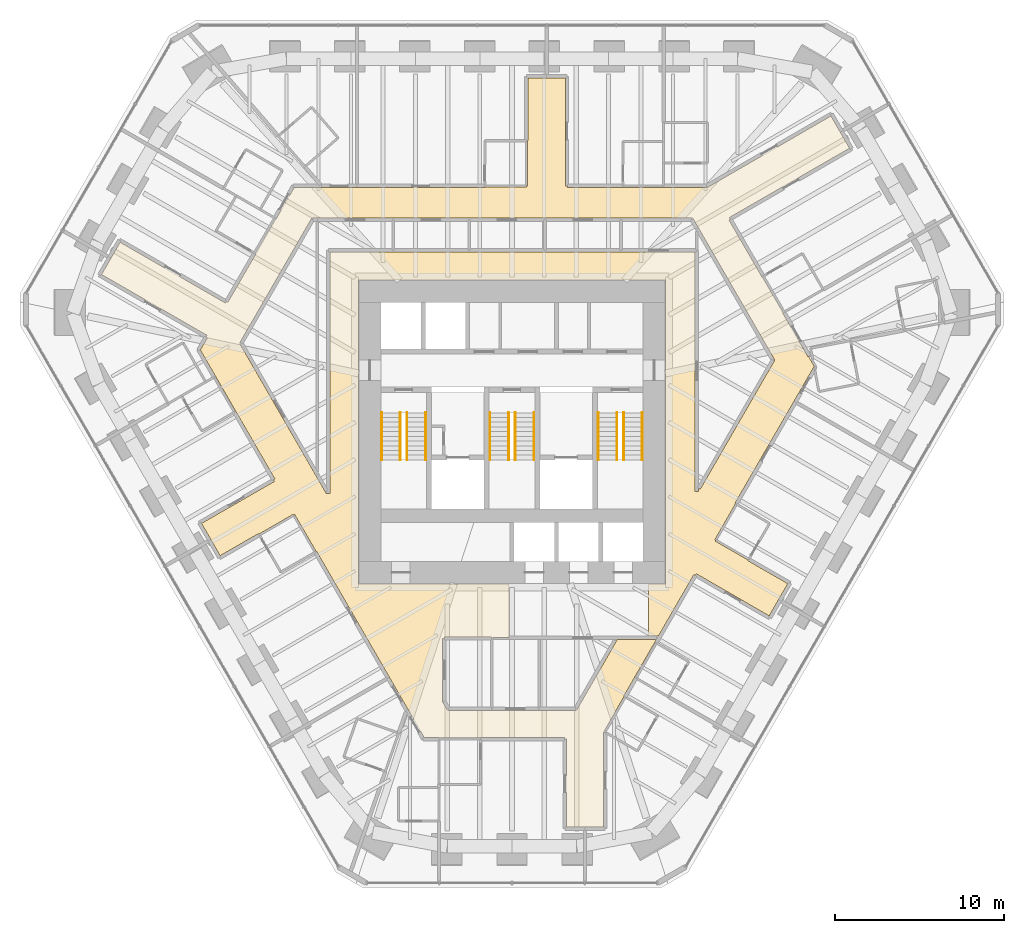
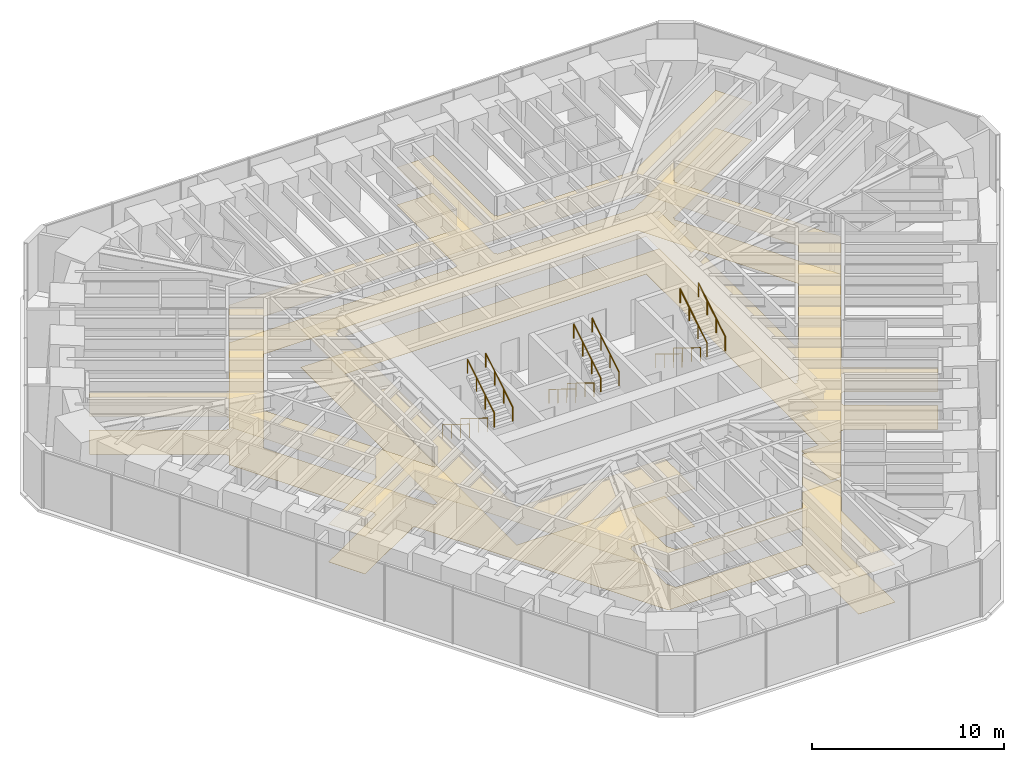
# One storey, part 17 of 17: 12 railings, 2 coverings.
"""IFC4 building model written with IfcOpenShell, lengths in metres."""

import ifcopenshell
import ifcopenshell.guid

model = None  # the IFC model being written
_history = None  # IfcOwnerHistory: only IFC2X3 demands one
_inside = {}  # id of a spatial element -> (the spatial element, [elements in it])
_under = {}  # id of a project, library or spatial element -> (it, [spatial elements below it])
_declared = {}  # id of a project -> (the project, [libraries it declares])
_typed = {}  # id of a type object -> (the type object, [elements of that type])
_made_of = {}  # id of a material, layer set ... -> (it, [elements and type objects made of it])


def new_model(schema):
    """Start an empty IFC model of exactly this schema.

    Asked for "IFC4X3", IfcOpenShell would pick the latest addendum, in which some entities
    have other attributes; the version numbers below select the first issue.
    IFC2X3 requires an IfcOwnerHistory on every rooted entity: one is made here for all.
    """
    global model, _history
    if schema == "IFC4X3":
        model = ifcopenshell.file(schema_version=(4, 3, 0, 0))
    else:
        model = ifcopenshell.file(schema=schema)
    _inside.clear()
    _under.clear()
    _declared.clear()
    _typed.clear()
    _made_of.clear()
    _history = None
    if model.schema == "IFC2X3":
        org = make("IfcOrganization", Name="unknown")
        user = make(
            "IfcPersonAndOrganization",
            ThePerson=make("IfcPerson", FamilyName="unknown"),
            TheOrganization=org,
        )
        app = make(
            "IfcApplication",
            ApplicationDeveloper=org,
            Version="unknown",
            ApplicationFullName="unknown",
            ApplicationIdentifier="unknown",
        )
        _history = make(
            "IfcOwnerHistory",
            OwningUser=user,
            OwningApplication=app,
            ChangeAction="ADDED",
            CreationDate=0,
        )
    return model


def make(cls, **values):
    """One entity of the class cls with the attributes given. An attribute that is None is left unset."""
    return model.create_entity(
        cls, **{name: value for name, value in values.items() if value is not None}
    )


def rooted(cls, **values):
    """An entity with a GlobalId (a new one), such as an element, a storey or a relation."""
    return make(cls, GlobalId=ifcopenshell.guid.new(), OwnerHistory=_history, **values)


def si_unit(unit_type, name, prefix=None):
    """IfcSIUnit, for example si_unit("LENGTHUNIT", "METRE", prefix="MILLI")."""
    return make("IfcSIUnit", UnitType=unit_type, Prefix=prefix, Name=name)


def assignment(units):
    """IfcUnitAssignment: the units of a project."""
    return None if units is None else make("IfcUnitAssignment", Units=units)


def point(xyz):
    """IfcCartesianPoint."""
    return None if xyz is None else make("IfcCartesianPoint", Coordinates=xyz)


def direction(xyz):
    """IfcDirection."""
    return None if xyz is None else make("IfcDirection", DirectionRatios=xyz)


def frame(location, z_axis=None, x_axis=None):
    """IfcAxis2Placement3D, a coordinate frame: its origin and axes. An axis left out is left unset."""
    return make(
        "IfcAxis2Placement3D",
        Location=point(location),
        Axis=direction(z_axis),
        RefDirection=direction(x_axis),
    )


def frame_2d(location, x_axis=None):
    """IfcAxis2Placement2D, a coordinate frame in the plane: its origin and x axis."""
    return make(
        "IfcAxis2Placement2D", Location=point(location), RefDirection=direction(x_axis)
    )


def origin():
    """The frame at (0, 0, 0) with its axes left unset."""
    return frame((0.0, 0.0, 0.0))


def origin_2d():
    """The frame at (0, 0) in the plane with its x axis left unset."""
    return frame_2d((0.0, 0.0))


def place(relative_to, where):
    """IfcLocalPlacement: puts the frame where relative to a parent placement (None: the world)."""
    return make(
        "IfcLocalPlacement", PlacementRelTo=relative_to, RelativePlacement=where
    )


def context(
    kind, dimensions, precision=None, world=None, true_north=None, identifier=None
):
    """IfcGeometricRepresentationContext, for example the 3D "Model" context."""
    return make(
        "IfcGeometricRepresentationContext",
        ContextIdentifier=identifier,
        ContextType=kind,
        CoordinateSpaceDimension=dimensions,
        Precision=precision,
        WorldCoordinateSystem=world,
        TrueNorth=true_north,
    )


def subcontext(parent, identifier, kind, view, scale=None):
    """IfcGeometricRepresentationSubContext, for example "Body" below "Model"."""
    return make(
        "IfcGeometricRepresentationSubContext",
        ContextIdentifier=identifier,
        ContextType=kind,
        ParentContext=parent,
        TargetScale=scale,
        TargetView=view,
    )


def project(units=None, contexts=None):
    """IfcProject with its units and contexts."""
    return rooted(
        "IfcProject",
        Name="project",
        RepresentationContexts=contexts,
        UnitsInContext=assignment(units),
    )


def spatial(cls, under=None, at=None, **own):
    """A site, building, storey or space (cls), placed at a placement, below another one or the project."""
    s = rooted(cls, ObjectPlacement=at, **own)
    if under is not None:
        _under.setdefault(under.id(), (under, []))[1].append(s)
    return s


def polyline(points):
    """IfcPolyline through the points."""
    return make("IfcPolyline", Points=[point(p) for p in points])


def profile(cls, at=None, kind="AREA", **sizes):
    """A parametric profile (cls). Its sizes go by their IFC names, for example OverallWidth=200.0."""
    return make(cls, ProfileType=kind, Position=at, **sizes)


def circle(**sizes):
    """IfcCircleProfileDef."""
    return profile("IfcCircleProfileDef", **sizes)


def outline(outer, holes=None, kind="AREA"):
    """IfcArbitraryClosedProfileDef: a profile drawn as a closed curve; with holes, ...WithVoids."""
    if holes is None:
        return make("IfcArbitraryClosedProfileDef", ProfileType=kind, OuterCurve=outer)
    return make(
        "IfcArbitraryProfileDefWithVoids",
        ProfileType=kind,
        OuterCurve=outer,
        InnerCurves=holes,
    )


def extrude(swept, where, along, depth):
    """IfcExtrudedAreaSolid: the profile swept, set in the frame where, extruded along a direction by depth."""
    return make(
        "IfcExtrudedAreaSolid",
        SweptArea=swept,
        Position=where,
        ExtrudedDirection=direction(along),
        Depth=depth,
    )


def shape(context_of_items, identifier, shape_type, items):
    """IfcShapeRepresentation: the items that make up one representation, for example the "Body"."""
    return make(
        "IfcShapeRepresentation",
        ContextOfItems=context_of_items,
        RepresentationIdentifier=identifier,
        RepresentationType=shape_type,
        Items=items,
    )


def material(Name=None, Category=None):
    """IfcMaterial."""
    return make("IfcMaterial", Name=Name, Category=Category)


def layer(
    of_material, thickness, ventilated=None, Name=None, Category=None, Priority=None
):
    """IfcMaterialLayer: one layer of a wall or slab, of a material (None: an air gap)."""
    return make(
        "IfcMaterialLayer",
        Material=of_material,
        LayerThickness=thickness,
        IsVentilated=ventilated,
        Name=Name,
        Category=Category,
        Priority=Priority,
    )


def layer_set(layers, Name=None):
    """IfcMaterialLayerSet."""
    return make("IfcMaterialLayerSet", MaterialLayers=layers, LayerSetName=Name)


def made_of(thing, what):
    """Note that an element or type object is made of a material, layer set ...; save() writes the relation."""
    if what is not None:
        _made_of.setdefault(what.id(), (what, []))[1].append(thing)
    return thing


def type_object(cls, material=None, **own):
    """A type object (cls), such as IfcWallType, which elements share."""
    return made_of(rooted(cls, **own), material)


def element(
    cls,
    number,
    at=None,
    inside=None,
    cuts=None,
    type_object=None,
    material=None,
    context=None,
    identifier="Body",
    shape_type=None,
    held_by="IfcProductDefinitionShape",
    body=None,
    shapes=None,
    **own,
):
    """One element of the class cls, such as IfcWall. Its Tag is "e" and its number.

    at: its placement. inside: the storey or other place that contains it. cuts: it is an
    opening in that element (IfcRelVoidsElement). A single representation is given by context,
    identifier, shape_type and body (its items); several are given by shapes. held_by: the class
    of the entity that holds the representations. save() writes the other relations.
    """
    e = rooted(cls, Tag="e%d" % number, ObjectPlacement=at, **own)
    if body is not None:
        shapes = [shape(context, identifier, shape_type, body)]
    if shapes is not None:
        e.Representation = make(held_by, Representations=shapes)
    if inside is not None:
        _inside.setdefault(inside.id(), (inside, []))[1].append(e)
    if cuts is not None:
        rooted(
            "IfcRelVoidsElement", RelatingBuildingElement=cuts, RelatedOpeningElement=e
        )
    if type_object is not None:
        _typed.setdefault(type_object.id(), (type_object, []))[1].append(e)
    return made_of(e, material)


def aggregate(whole, parts):
    """IfcRelAggregates: a whole, such as a stair, and the parts it consists of."""
    return rooted("IfcRelAggregates", RelatingObject=whole, RelatedObjects=parts)


def save(model, path):
    """Write the relations noted so far, then the file.

    IfcRelAggregates (storeys below a building ...), IfcRelContainedInSpatialStructure (elements
    in a storey), IfcRelDefinesByType, IfcRelAssociatesMaterial and IfcRelDeclares: one each for
    every whole, place, type object, material and project.
    """
    for whole, parts in _under.values():
        aggregate(whole, parts)
    for where, things in _inside.values():
        rooted(
            "IfcRelContainedInSpatialStructure",
            RelatedElements=things,
            RelatingStructure=where,
        )
    for kind, things in _typed.values():
        rooted("IfcRelDefinesByType", RelatedObjects=things, RelatingType=kind)
    for what, things in _made_of.values():
        rooted("IfcRelAssociatesMaterial", RelatedObjects=things, RelatingMaterial=what)
    for by, libraries in _declared.values():
        rooted("IfcRelDeclares", RelatingContext=by, RelatedDefinitions=libraries)
    model.write(path)


model = new_model("IFC4")

# Units and contexts
model_context = context("Model", 3, precision=1e-05, world=origin(), true_north=direction((0.0, 1.0)))
body_context = subcontext(model_context, "Body", "Model", "MODEL_VIEW")
ifc_project = project(units=[si_unit("LENGTHUNIT", "METRE"), si_unit("AREAUNIT", "SQUARE_METRE"), si_unit("VOLUMEUNIT", "CUBIC_METRE"), si_unit("PLANEANGLEUNIT", "RADIAN"), si_unit("MASSUNIT", "GRAM", prefix="KILO")], contexts=[model_context])

# Site, building, storey
site_placement = place(None, origin())
site = spatial("IfcSite", under=ifc_project, at=site_placement, CompositionType="ELEMENT")
building_placement = place(site_placement, origin())
building = spatial("IfcBuilding", under=site, at=building_placement, Name="Sandreach Pilgrim Tower", CompositionType="ELEMENT")
storey_placement = place(building_placement, frame((0.0, 0.0, 161.39990234375)))
storey = spatial("IfcBuildingStorey", under=building, at=storey_placement, Name="L40", CompositionType="ELEMENT", Elevation=161.39990234375)

# Coverings
ifc_material_1 = material(Name="Nylon carpet tile on the slab", Category="textile")
ifc_layer_1 = layer(ifc_material_1, 0.008056640625)
ifc_layer_set_1 = layer_set([ifc_layer_1], Name="Carpet tile")
covering_type_1 = type_object("IfcCoveringType", Name="Carpet tile", PredefinedType="FLOORING", material=ifc_layer_set_1)
covering_1_placement = place(storey_placement, origin())
element("IfcCovering", 1, at=covering_1_placement, inside=storey, type_object=covering_type_1, Name="Floor finish 40C Corridor 40", PredefinedType="FLOORING", context=body_context, shape_type="SweptSolid", body=[
    extrude(outline(polyline([(-18.030029296875, 4.166748046875), (-24.25341796875, 7.756591796875), (-23.1533203125, 9.663330078125), (-16.929931640625, 6.073486328125), (-16.869873046875, 6.165771484375), (-16.788330078125, 6.11865234375), (-12.872314453125, 12.889892578125), (-1.60009765625, 12.889892578125), (-1.60009765625, 12.9228515625), (0.85009765625, 12.929931640625), (0.850830078125, 12.989990234375), (0.909912109375, 12.989990234375), (0.909912109375, 15.659912109375), (0.949951171875, 15.659912109375), (0.949951171875, 19.360107421875), (3.14990234375, 19.360107421875), (3.14990234375, 12.989990234375), (3.264892578125, 12.989990234375), (3.264892578125, 12.889892578125), (11.516845703125, 12.889892578125), (18.843505859375, 17.123291015625), (19.943359375, 15.216552734375), (12.85009765625, 11.126708984375), (12.907470703125, 11.027099609375), (12.82080078125, 10.97705078125), (16.013916015625, 5.501708984375), (15.991455078125, 5.48876953125), (17.486328125, 2.90478515625), (17.517822265625, 2.9228515625), (17.8603515625, 2.33544921875), (13.17333984375, -5.760009765625), (13.208740234375, -5.7802734375), (11.988037109375, -7.909912109375), (12.03955078125, -7.94091796875), (12.010009765625, -7.991943359375), (13.95849609375, -9.11474609375), (13.9384765625, -9.1494140625), (16.29345703125, -10.506591796875), (15.193359375, -12.413330078125), (10.89013671875, -9.92333984375), (10.83251953125, -10.02294921875), (10.745849609375, -9.972900390625), (8.6513671875, -13.60009765625), (8.050048828125, -13.60009765625), (8.050048828125, -10.52001953125), (9.070068359375, -10.52001953125), (9.070068359375, 7.419921875), (-9.070068359375, 7.419921875), (-9.070068359375, -10.52001953125), (-0.175048828125, -10.52001953125), (-0.175048828125, -13.68994140625), (-1.199951171875, -13.67919921875), (-1.199951171875, -13.64990234375), (-3.989990234375, -13.64990234375), (-3.989990234375, -13.75), (-4.10009765625, -13.75), (-4.10009765625, -17.487060546875), (-3.8076171875, -17.989990234375), (3.8076171875, -17.989990234375), (6.2265625, -13.800048828125), (8.535888671875, -13.800048828125), (6.603271484375, -17.150146484375), (6.622314453125, -17.160888671875), (5.409912109375, -19.2900390625), (5.409912109375, -24.8798828125), (3.2099609375, -24.8798828125), (3.2099609375, -19.68994140625), (3.10009765625, -19.68994140625), (3.10009765625, -19.590087890625), (-5.192138671875, -19.590087890625), (-11.54345703125, -8.599853515625), (-11.56884765625, -8.61474609375), (-12.837890625, -6.43017578125), (-12.890625, -6.458984375), (-12.919921875, -6.407958984375), (-14.9599609375, -7.587890625), (-14.979736328125, -7.55322265625), (-17.2431640625, -8.853515625), (-18.343505859375, -6.94677734375), (-14.0400390625, -4.466552734375), (-14.097412109375, -4.366943359375), (-14.010986328125, -4.31689453125), (-18.41455078125, 3.300048828125), (-18.0009765625, 4.01708984375), (-18.083251953125, 4.064453125), (-18.030029296875, 4.166748046875)]), holes=[polyline([(-16.095458984375, 3.699951171875), (-10.965576171875, -5.18994140625), (-10.85009765625, -5.19482421875), (-10.75, -5.18994140625), (-10.75, 9.10009765625), (10.820068359375, 9.10009765625), (10.820068359375, -5.070068359375), (11.02001953125, -5.070068359375), (11.02001953125, -4.873779296875), (11.11669921875, -4.929443359375), (15.525390625, 2.699951171875), (10.677734375, 11.090087890625), (-11.82763671875, 11.090087890625), (-16.095458984375, 3.699951171875)])]), origin(), (0.0, 0.0, 1.0), 0.008056640625),
])
ifc_material_2 = material(Name="Gypsum board suspended ceiling on a steel grid", Category="steel")
ifc_layer_2 = layer(ifc_material_2, 0.012939453125)
ifc_layer_set_2 = layer_set([ifc_layer_2], Name="Gypsum board suspended ceiling")
covering_type_2 = type_object("IfcCoveringType", Name="Gypsum board suspended ceiling", PredefinedType="CEILING", material=ifc_layer_set_2)
covering_2_placement = place(storey_placement, frame((0.0, 0.0, 2.400146484375)))
element("IfcCovering", 2, at=covering_2_placement, inside=storey, type_object=covering_type_2, Name="Ceiling 40C Corridor 40", PredefinedType="CEILING", context=body_context, shape_type="SweptSolid", body=[
    extrude(outline(polyline([(-18.030029296875, 4.166748046875), (-24.25341796875, 7.756591796875), (-23.1533203125, 9.663330078125), (-16.929931640625, 6.073486328125), (-16.869873046875, 6.165771484375), (-16.788330078125, 6.11865234375), (-12.872314453125, 12.889892578125), (-1.60009765625, 12.889892578125), (-1.60009765625, 12.9228515625), (0.85009765625, 12.929931640625), (0.850830078125, 12.989990234375), (0.909912109375, 12.989990234375), (0.909912109375, 15.659912109375), (0.949951171875, 15.659912109375), (0.949951171875, 19.360107421875), (3.14990234375, 19.360107421875), (3.14990234375, 12.989990234375), (3.264892578125, 12.989990234375), (3.264892578125, 12.889892578125), (11.516845703125, 12.889892578125), (18.843505859375, 17.123291015625), (19.943359375, 15.216552734375), (12.85009765625, 11.126708984375), (12.907470703125, 11.027099609375), (12.82080078125, 10.97705078125), (16.013916015625, 5.501708984375), (15.991455078125, 5.48876953125), (17.486328125, 2.90478515625), (17.517822265625, 2.9228515625), (17.8603515625, 2.33544921875), (13.17333984375, -5.760009765625), (13.208740234375, -5.7802734375), (11.988037109375, -7.909912109375), (12.03955078125, -7.94091796875), (12.010009765625, -7.991943359375), (13.95849609375, -9.11474609375), (13.9384765625, -9.1494140625), (16.29345703125, -10.506591796875), (15.193359375, -12.413330078125), (10.89013671875, -9.92333984375), (10.83251953125, -10.02294921875), (10.745849609375, -9.972900390625), (8.6513671875, -13.60009765625), (8.050048828125, -13.60009765625), (8.050048828125, -10.52001953125), (9.070068359375, -10.52001953125), (9.070068359375, 7.419921875), (-9.070068359375, 7.419921875), (-9.070068359375, -10.52001953125), (-0.175048828125, -10.52001953125), (-0.175048828125, -13.68994140625), (-1.199951171875, -13.67919921875), (-1.199951171875, -13.64990234375), (-3.989990234375, -13.64990234375), (-3.989990234375, -13.75), (-4.10009765625, -13.75), (-4.10009765625, -17.487060546875), (-3.8076171875, -17.989990234375), (3.8076171875, -17.989990234375), (6.2265625, -13.800048828125), (8.535888671875, -13.800048828125), (6.603271484375, -17.150146484375), (6.622314453125, -17.160888671875), (5.409912109375, -19.2900390625), (5.409912109375, -24.8798828125), (3.2099609375, -24.8798828125), (3.2099609375, -19.68994140625), (3.10009765625, -19.68994140625), (3.10009765625, -19.590087890625), (-5.192138671875, -19.590087890625), (-11.54345703125, -8.599853515625), (-11.56884765625, -8.61474609375), (-12.837890625, -6.43017578125), (-12.890625, -6.458984375), (-12.919921875, -6.407958984375), (-14.9599609375, -7.587890625), (-14.979736328125, -7.55322265625), (-17.2431640625, -8.853515625), (-18.343505859375, -6.94677734375), (-14.0400390625, -4.466552734375), (-14.097412109375, -4.366943359375), (-14.010986328125, -4.31689453125), (-18.41455078125, 3.300048828125), (-18.0009765625, 4.01708984375), (-18.083251953125, 4.064453125), (-18.030029296875, 4.166748046875)]), holes=[polyline([(-16.095458984375, 3.699951171875), (-10.965576171875, -5.18994140625), (-10.85009765625, -5.19482421875), (-10.75, -5.18994140625), (-10.75, 9.10009765625), (10.820068359375, 9.10009765625), (10.820068359375, -5.070068359375), (11.02001953125, -5.070068359375), (11.02001953125, -4.873779296875), (11.11669921875, -4.929443359375), (15.525390625, 2.699951171875), (10.677734375, 11.090087890625), (-11.82763671875, 11.090087890625), (-16.095458984375, 3.699951171875)])]), origin(), (0.0, 0.0, 1.0), 0.012939453125),
])

# Railings
ifc_material_3 = material(Name="Stainless steel tube", Category="steel")
railing_type = type_object("IfcRailingType", Name="Stair handrail", PredefinedType="HANDRAIL", material=ifc_material_3)
for number, where, name in (
    (3, (-6.60009765625, -0.39990234375, 0.1728515625), "Handrail ST1 L40 flight 1"),
    (4, (-7.699951171875, -0.39990234375, 0.1728515625), "Handrail ST1 L40 flight 1"),
):
    element("IfcRailing", number, at=place(storey_placement, frame(where)), inside=storey, type_object=railing_type, Name=name, PredefinedType="HANDRAIL", context=body_context, shape_type="SweptSolid", body=[
        extrude(circle(Radius=0.02392578125, at=origin_2d()), frame((0.0, 0.0, 0.8759765625), z_axis=(0.0, -0.851089632645, 0.525020415988), x_axis=(1.0, 0.0, 0.0)), (0.0, 0.0, 1.0), 3.2900390625),
        extrude(circle(Radius=0.02099609375, at=origin_2d()), origin(), (0.0, 0.0, 1.0), 0.851806640625),
        extrude(circle(Radius=0.02099609375, at=origin_2d()), frame((0.0, -0.933349609375, 0.57568359375)), (0.0, 0.0, 1.0), 0.851806640625),
        extrude(circle(Radius=0.02099609375, at=origin_2d()), frame((0.0, -1.86669921875, 1.151611328125)), (0.0, 0.0, 1.0), 0.851806640625),
        extrude(circle(Radius=0.02099609375, at=origin_2d()), frame((0.0, -2.800048828125, 1.727294921875)), (0.0, 0.0, 1.0), 0.851806640625),
    ])
for number, where, name in (
    (5, (-6.199951171875, -3.199951171875, 2.07275390625), "Handrail ST1 L40 flight 2"),
    (6, (-5.10009765625, -3.199951171875, 2.07275390625), "Handrail ST1 L40 flight 2"),
):
    element("IfcRailing", number, at=place(storey_placement, frame(where)), inside=storey, type_object=railing_type, Name=name, PredefinedType="HANDRAIL", context=body_context, shape_type="SweptSolid", body=[
        extrude(circle(Radius=0.02392578125, at=origin_2d()), frame((0.0, 0.0, 0.8759765625), z_axis=(0.0, 0.851089632645, 0.525020415988), x_axis=(-1.0, 0.0, 0.0)), (0.0, 0.0, 1.0), 3.2900390625),
        extrude(circle(Radius=0.02099609375, at=origin_2d()), origin(), (0.0, 0.0, 1.0), 0.851806640625),
        extrude(circle(Radius=0.02099609375, at=origin_2d()), frame((0.0, 0.933349609375, 0.57568359375)), (0.0, 0.0, 1.0), 0.851806640625),
        extrude(circle(Radius=0.02099609375, at=origin_2d()), frame((0.0, 1.86669921875, 1.151611328125)), (0.0, 0.0, 1.0), 0.851806640625),
        extrude(circle(Radius=0.02099609375, at=origin_2d()), frame((0.0, 2.800048828125, 1.727294921875)), (0.0, 0.0, 1.0), 0.851806640625),
    ])
for number, where, name in (
    (7, (-0.199951171875, -0.39990234375, 0.1728515625), "Handrail ST3 L40 flight 1"),
    (8, (-1.300048828125, -0.39990234375, 0.1728515625), "Handrail ST3 L40 flight 1"),
):
    element("IfcRailing", number, at=place(storey_placement, frame(where)), inside=storey, type_object=railing_type, Name=name, PredefinedType="HANDRAIL", context=body_context, shape_type="SweptSolid", body=[
        extrude(circle(Radius=0.02392578125, at=origin_2d()), frame((0.0, 0.0, 0.8759765625), z_axis=(0.0, -0.851089632645, 0.525020415988), x_axis=(1.0, 0.0, 0.0)), (0.0, 0.0, 1.0), 3.2900390625),
        extrude(circle(Radius=0.02099609375, at=origin_2d()), origin(), (0.0, 0.0, 1.0), 0.851806640625),
        extrude(circle(Radius=0.02099609375, at=origin_2d()), frame((0.0, -0.933349609375, 0.57568359375)), (0.0, 0.0, 1.0), 0.851806640625),
        extrude(circle(Radius=0.02099609375, at=origin_2d()), frame((0.0, -1.86669921875, 1.151611328125)), (0.0, 0.0, 1.0), 0.851806640625),
        extrude(circle(Radius=0.02099609375, at=origin_2d()), frame((0.0, -2.800048828125, 1.727294921875)), (0.0, 0.0, 1.0), 0.851806640625),
    ])
for number, where, name in (
    (9, (0.199951171875, -3.199951171875, 2.07275390625), "Handrail ST3 L40 flight 2"),
    (10, (1.300048828125, -3.199951171875, 2.07275390625), "Handrail ST3 L40 flight 2"),
):
    element("IfcRailing", number, at=place(storey_placement, frame(where)), inside=storey, type_object=railing_type, Name=name, PredefinedType="HANDRAIL", context=body_context, shape_type="SweptSolid", body=[
        extrude(circle(Radius=0.02392578125, at=origin_2d()), frame((0.0, 0.0, 0.8759765625), z_axis=(0.0, 0.851089632645, 0.525020415988), x_axis=(-1.0, 0.0, 0.0)), (0.0, 0.0, 1.0), 3.2900390625),
        extrude(circle(Radius=0.02099609375, at=origin_2d()), origin(), (0.0, 0.0, 1.0), 0.851806640625),
        extrude(circle(Radius=0.02099609375, at=origin_2d()), frame((0.0, 0.933349609375, 0.57568359375)), (0.0, 0.0, 1.0), 0.851806640625),
        extrude(circle(Radius=0.02099609375, at=origin_2d()), frame((0.0, 1.86669921875, 1.151611328125)), (0.0, 0.0, 1.0), 0.851806640625),
        extrude(circle(Radius=0.02099609375, at=origin_2d()), frame((0.0, 2.800048828125, 1.727294921875)), (0.0, 0.0, 1.0), 0.851806640625),
    ])
for number, where, name in (
    (11, (6.199951171875, -0.39990234375, 0.1728515625), "Handrail ST2 L40 flight 1"),
    (12, (5.10009765625, -0.39990234375, 0.1728515625), "Handrail ST2 L40 flight 1"),
):
    element("IfcRailing", number, at=place(storey_placement, frame(where)), inside=storey, type_object=railing_type, Name=name, PredefinedType="HANDRAIL", context=body_context, shape_type="SweptSolid", body=[
        extrude(circle(Radius=0.02392578125, at=origin_2d()), frame((0.0, 0.0, 0.8759765625), z_axis=(0.0, -0.851089632645, 0.525020415988), x_axis=(1.0, 0.0, 0.0)), (0.0, 0.0, 1.0), 3.2900390625),
        extrude(circle(Radius=0.02099609375, at=origin_2d()), origin(), (0.0, 0.0, 1.0), 0.851806640625),
        extrude(circle(Radius=0.02099609375, at=origin_2d()), frame((0.0, -0.933349609375, 0.57568359375)), (0.0, 0.0, 1.0), 0.851806640625),
        extrude(circle(Radius=0.02099609375, at=origin_2d()), frame((0.0, -1.86669921875, 1.151611328125)), (0.0, 0.0, 1.0), 0.851806640625),
        extrude(circle(Radius=0.02099609375, at=origin_2d()), frame((0.0, -2.800048828125, 1.727294921875)), (0.0, 0.0, 1.0), 0.851806640625),
    ])
for number, where, name in (
    (13, (6.60009765625, -3.199951171875, 2.07275390625), "Handrail ST2 L40 flight 2"),
    (14, (7.699951171875, -3.199951171875, 2.07275390625), "Handrail ST2 L40 flight 2"),
):
    element("IfcRailing", number, at=place(storey_placement, frame(where)), inside=storey, type_object=railing_type, Name=name, PredefinedType="HANDRAIL", context=body_context, shape_type="SweptSolid", body=[
        extrude(circle(Radius=0.02392578125, at=origin_2d()), frame((0.0, 0.0, 0.8759765625), z_axis=(0.0, 0.851089632645, 0.525020415988), x_axis=(-1.0, 0.0, 0.0)), (0.0, 0.0, 1.0), 3.2900390625),
        extrude(circle(Radius=0.02099609375, at=origin_2d()), origin(), (0.0, 0.0, 1.0), 0.851806640625),
        extrude(circle(Radius=0.02099609375, at=origin_2d()), frame((0.0, 0.933349609375, 0.57568359375)), (0.0, 0.0, 1.0), 0.851806640625),
        extrude(circle(Radius=0.02099609375, at=origin_2d()), frame((0.0, 1.86669921875, 1.151611328125)), (0.0, 0.0, 1.0), 0.851806640625),
        extrude(circle(Radius=0.02099609375, at=origin_2d()), frame((0.0, 2.800048828125, 1.727294921875)), (0.0, 0.0, 1.0), 0.851806640625),
    ])

save(model, "model.ifc")
